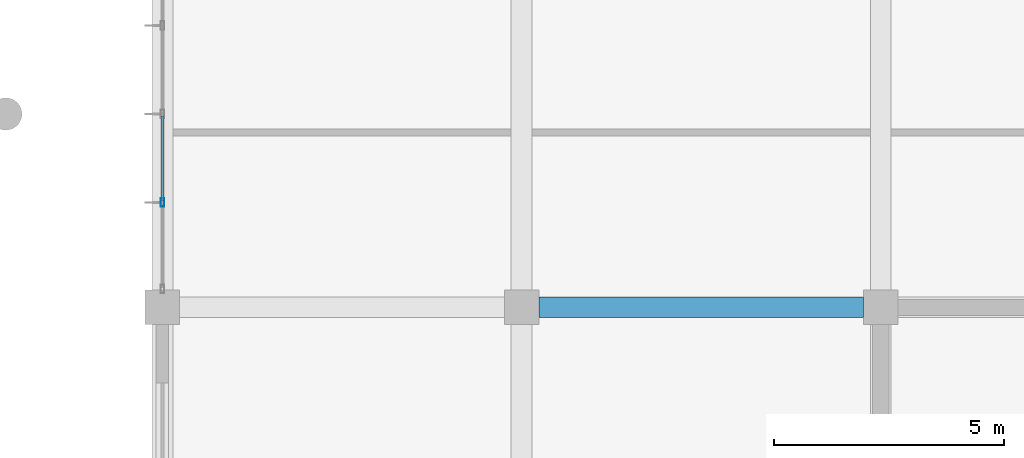
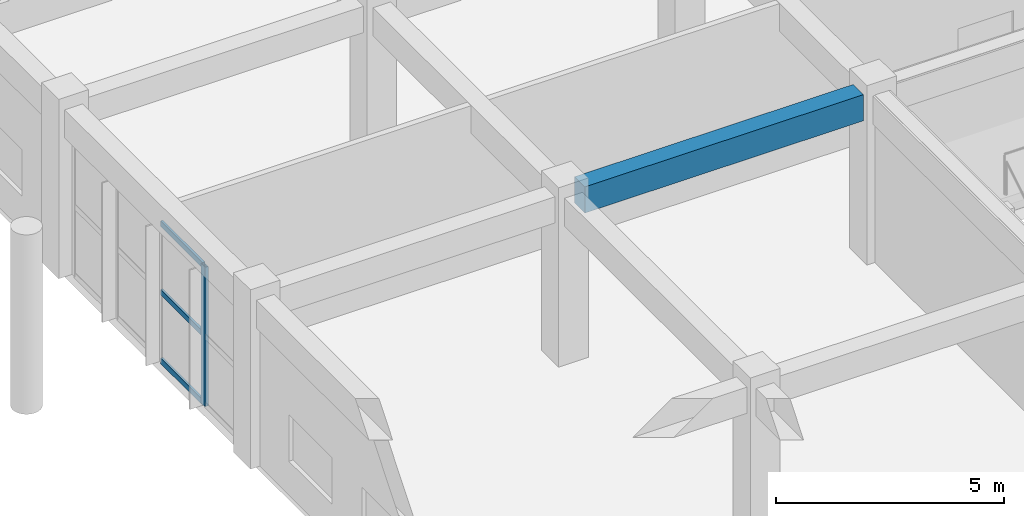
# One storey, part 54 of 167: 4 members, 1 beam, 1 element without a shape of its own.
"""IFC4 building model written with IfcOpenShell, lengths in metres."""

from ifc_helpers import new_model, si_unit, direction, frame, origin, origin_2d, place, context, subcontext, project, spatial, rectangle, hollow_rectangle, extrude, material, layer, layer_set, material_profile, profile_set, type_object, element, aggregate, save


model = new_model("IFC4")

# Units and contexts
model_context = context("Model", 3, precision=1e-05, world=origin(), true_north=direction((0.0, 1.0)))
body_context = subcontext(model_context, "Body", "Model", "MODEL_VIEW")
ifc_project = project(units=[si_unit("LENGTHUNIT", "METRE"), si_unit("AREAUNIT", "SQUARE_METRE"), si_unit("VOLUMEUNIT", "CUBIC_METRE"), si_unit("PLANEANGLEUNIT", "RADIAN"), si_unit("MASSUNIT", "GRAM", prefix="KILO")], contexts=[model_context])

# Site, building, storey
site_placement = place(None, origin())
site = spatial("IfcSite", under=ifc_project, at=site_placement, CompositionType="ELEMENT")
building_placement = place(site_placement, origin())
building = spatial("IfcBuilding", under=site, at=building_placement, Name="Zizhar Promenade General Hospital", CompositionType="ELEMENT")
storey_placement = place(building_placement, frame((0.0, 0.0, 9.60009765625)))
storey = spatial("IfcBuildingStorey", under=building, at=storey_placement, Name="L02", CompositionType="ELEMENT", Elevation=9.60009765625)

# Beam
ifc_material_1 = material(Name="Concrete C35/45", Category="concrete")
ifc_material_profile_1 = material_profile(ifc_material_1, rectangle(XDim=0.449951171875, YDim=0.699951171875, at=origin_2d()))
ifc_profile_set_1 = profile_set([ifc_material_profile_1], Name="Concrete C35/45")
beam_type = type_object("IfcBeamType", Name="BM-RC-450x700", PredefinedType="BEAM", material=ifc_profile_set_1)
beam_placement = place(storey_placement, frame((54.97509765625, 117.60009765625, 4.119873046875), z_axis=(1.0, 0.0, 0.0), x_axis=(0.0, 1.0, 0.0)))
element("IfcBeam", 1, at=beam_placement, inside=storey, type_object=beam_type, Name="Grid Beam X L02 (7-14)", PredefinedType="BEAM", context=body_context, shape_type="SweptSolid", body=[
    extrude(rectangle(XDim=0.449951171875, YDim=0.699951171875, at=origin_2d()), origin(), (0.0, 0.0, 1.0), 7.0498046875),
])

# Curtain wall, members
ifc_material_2 = material(Name="Anodised aluminium 6063-T6 and low-E glass", Category="aluminium")
ifc_layer = layer(ifc_material_2, 0.159912109375)
ifc_layer_set = layer_set([ifc_layer], Name="Anodised aluminium 6063-T6 and low-E glass")
curtain_wall_type = type_object("IfcCurtainWallType", Name="CW-DT-MOD1", PredefinedType="NOTDEFINED", material=ifc_layer_set)
curtain_wall_placement = place(storey_placement, origin())
curtain_wall = element("IfcCurtainWall", 2, at=curtain_wall_placement, inside=storey, type_object=curtain_wall_type, Name="Surgical West Glazed Curtain Wall L02-14", PredefinedType="NOTDEFINED")
ifc_material_3 = material(Name="Anodised aluminium 6063-T6", Category="aluminium")
ifc_material_profile_2 = material_profile(ifc_material_3, hollow_rectangle(XDim=0.080078125, YDim=0.179931640625, WallThickness=0.0048828125, at=origin_2d()))
ifc_profile_set_2 = profile_set([ifc_material_profile_2], Name="Anodised aluminium 6063-T6")
member_type_1 = type_object("IfcMemberType", Name="CWM-ALU-180x80", PredefinedType="MULLION", material=ifc_profile_set_2)
member_1_placement = place(storey_placement, frame((46.800048828125, 119.8798828125, 0.0), z_axis=(0.0, 0.0, 1.0), x_axis=(-1.0, 0.0, 0.0)))
member_1 = element("IfcMember", 3, at=member_1_placement, type_object=member_type_1, Name="CW-07 mullion 2", PredefinedType="MULLION", context=body_context, shape_type="SweptSolid", body=[
    extrude(hollow_rectangle(XDim=0.080078125, YDim=0.179931640625, WallThickness=0.0048828125, at=origin_2d()), origin(), (0.0, 0.0, 1.0), 3.72998046875),
])
ifc_material_4 = material(Name="Anodised aluminium 6063-T6", Category="aluminium")
ifc_material_profile_3 = material_profile(ifc_material_4, hollow_rectangle(XDim=0.06005859375, YDim=0.14990234375, WallThickness=0.00390625, at=origin_2d()))
ifc_profile_set_3 = profile_set([ifc_material_profile_3], Name="Anodised aluminium 6063-T6")
member_type_2 = type_object("IfcMemberType", Name="CWT-ALU-150x60", PredefinedType="USERDEFINED", material=ifc_profile_set_3)
member_2_placement = place(storey_placement, frame((46.800048828125, 119.919921875, 0.02978515625), z_axis=(0.0, 1.0, 0.0), x_axis=(-1.0, 0.0, 0.0)))
member_2 = element("IfcMember", 4, at=member_2_placement, type_object=member_type_2, Name="CW-07 transom 2.1", ObjectType="TRANSOM", PredefinedType="USERDEFINED", context=body_context, shape_type="SweptSolid", body=[
    extrude(hollow_rectangle(XDim=0.06005859375, YDim=0.14990234375, WallThickness=0.00390625, at=origin_2d()), origin(), (0.0, 0.0, 1.0), 1.840087890625),
])
member_3_placement = place(storey_placement, frame((46.800048828125, 119.919921875, 1.864990234375), z_axis=(0.0, 1.0, 0.0), x_axis=(-1.0, 0.0, 0.0)))
member_3 = element("IfcMember", 5, at=member_3_placement, type_object=member_type_2, Name="CW-07 transom 2.2", ObjectType="TRANSOM", PredefinedType="USERDEFINED", context=body_context, shape_type="SweptSolid", body=[
    extrude(hollow_rectangle(XDim=0.06005859375, YDim=0.14990234375, WallThickness=0.00390625, at=origin_2d()), origin(), (0.0, 0.0, 1.0), 1.840087890625),
])
member_4_placement = place(storey_placement, frame((46.800048828125, 119.919921875, 3.699951171875), z_axis=(0.0, 1.0, 0.0), x_axis=(-1.0, 0.0, 0.0)))
member_4 = element("IfcMember", 6, at=member_4_placement, type_object=member_type_2, Name="CW-07 transom 2.3", ObjectType="TRANSOM", PredefinedType="USERDEFINED", context=body_context, shape_type="SweptSolid", body=[
    extrude(hollow_rectangle(XDim=0.06005859375, YDim=0.14990234375, WallThickness=0.00390625, at=origin_2d()), origin(), (0.0, 0.0, 1.0), 1.840087890625),
])
aggregate(curtain_wall, [member_1, member_2, member_3, member_4])

save(model, "model.ifc")
